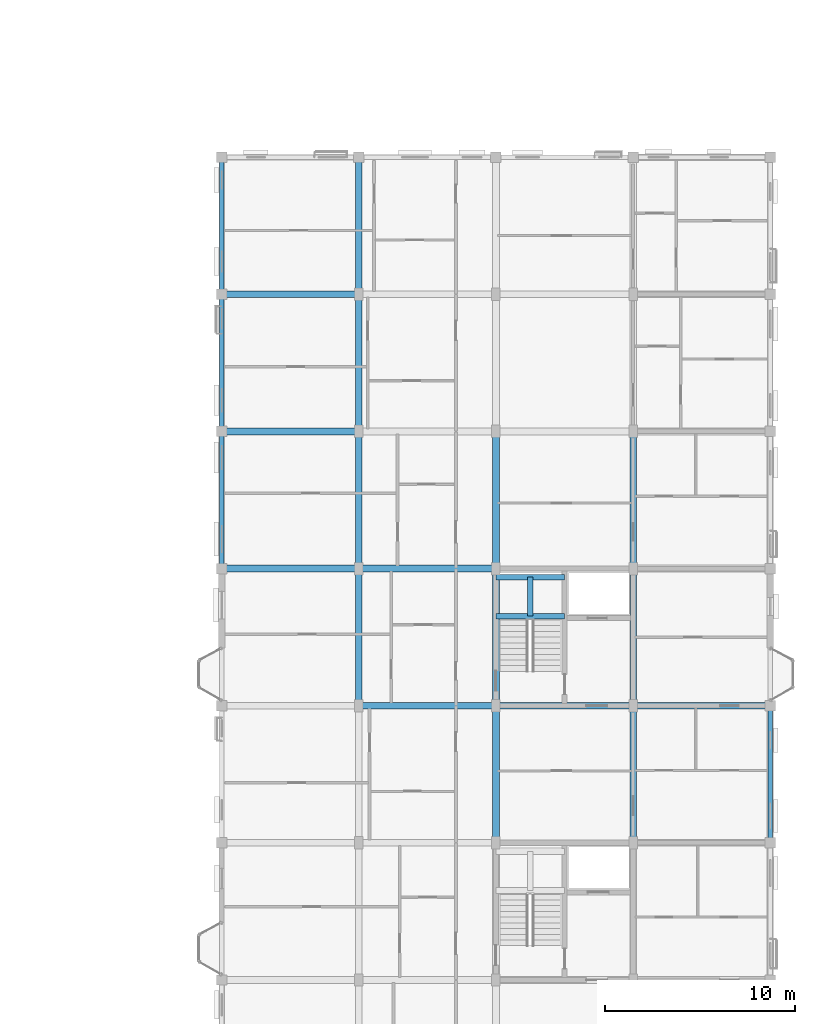
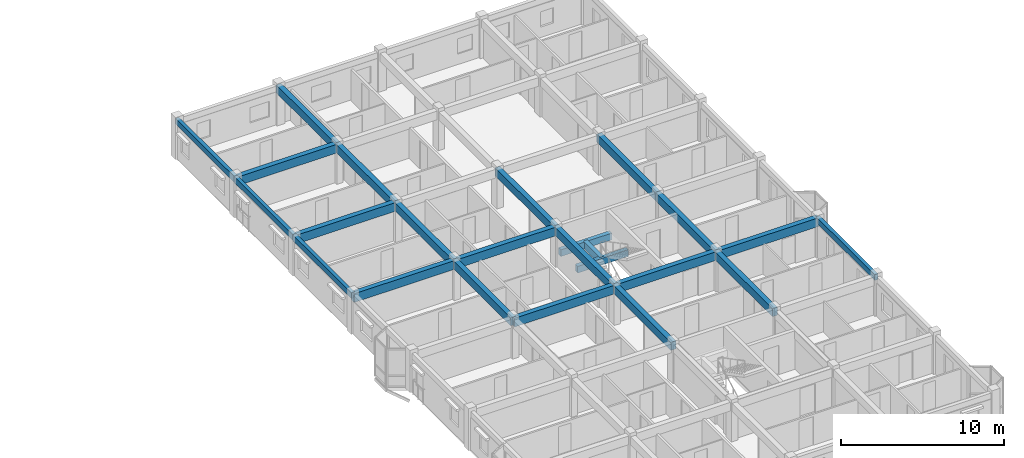
# One storey, part 29 of 79: 24 beams.
"""IFC4 building model written with IfcOpenShell, lengths in metres."""

from ifc_helpers import new_model, si_unit, direction, frame, origin, origin_2d, place, context, subcontext, project, spatial, rectangle, extrude, material, material_profile, profile_set, type_object, element, save


model = new_model("IFC4")

# Units and contexts
model_context = context("Model", 3, precision=1e-05, world=origin(), true_north=direction((0.0, 1.0)))
body_context = subcontext(model_context, "Body", "Model", "MODEL_VIEW")
ifc_project = project(units=[si_unit("LENGTHUNIT", "METRE"), si_unit("AREAUNIT", "SQUARE_METRE"), si_unit("VOLUMEUNIT", "CUBIC_METRE"), si_unit("PLANEANGLEUNIT", "RADIAN"), si_unit("MASSUNIT", "GRAM", prefix="KILO"), si_unit("THERMODYNAMICTEMPERATUREUNIT", "KELVIN"), si_unit("POWERUNIT", "WATT")], contexts=[model_context])

# Site, building, storey
site_placement = place(None, origin())
site = spatial("IfcSite", under=ifc_project, at=site_placement, CompositionType="ELEMENT")
building_placement = place(site_placement, origin())
building = spatial("IfcBuilding", under=site, at=building_placement, Name="Tavuni Mirador Residences", CompositionType="ELEMENT")
storey_placement = place(building_placement, frame((0.0, 0.0, 13.949951171875)))
storey = spatial("IfcBuildingStorey", under=building, at=storey_placement, Name="L04", CompositionType="ELEMENT", Elevation=13.949951171875)

# Beams
ifc_material = material(Name="Precast concrete C40/50", Category="concrete")
ifc_material_profile_1 = material_profile(ifc_material, rectangle(XDim=0.300048828125, YDim=0.5, at=origin_2d()), Name="PC 300x500", Category="concrete")
ifc_profile_set_1 = profile_set([ifc_material_profile_1], Name="Precast concrete C40/50")
beam_type_1 = type_object("IfcBeamType", Name="BT-B500", PredefinedType="BEAM", material=ifc_profile_set_1)
for number, where, z_axis, x_axis, name in (
    (1, (104.39990234375, 112.699951171875, 1.14501953125), (1.0, 0.0, 0.0), (0.0, 1.0, 0.0), "HLB1-C8-L04"),
    (2, (104.39990234375, 114.75, 1.14501953125), (1.0, 0.0, 0.0), (0.0, 1.0, 0.0), "HLB2-C8-L04"),
):
    element("IfcBeam", number, at=place(storey_placement, frame(where, z_axis=z_axis, x_axis=x_axis)), inside=storey, type_object=beam_type_1, Name=name, PredefinedType="BEAM", context=body_context, shape_type="SweptSolid", body=[
        extrude(rectangle(XDim=0.300048828125, YDim=0.5, at=origin_2d()), origin(), (0.0, 0.0, 1.0), 3.60009765625),
    ])
beam_1_placement = place(storey_placement, frame((106.199951171875, 112.699951171875, 1.14501953125), z_axis=(0.0, 1.0, 0.0), x_axis=(-1.0, 0.0, 0.0)))
element("IfcBeam", 3, at=beam_1_placement, inside=storey, type_object=beam_type_1, Name="HLB3-C8-L04", PredefinedType="BEAM", context=body_context, shape_type="SweptSolid", body=[
    extrude(rectangle(XDim=0.300048828125, YDim=0.5, at=origin_2d()), origin(), (0.0, 0.0, 1.0), 2.050048828125),
])
ifc_material_profile_2 = material_profile(ifc_material, rectangle(XDim=0.35009765625, YDim=0.60009765625, at=origin_2d()), Name="PC 350x600", Category="concrete")
ifc_profile_set_2 = profile_set([ifc_material_profile_2], Name="Precast concrete C40/50")
beam_type_2 = type_object("IfcBeamType", Name="BT-B600", PredefinedType="BEAM", material=ifc_profile_set_2)
for number, where, z_axis, x_axis, name in (
    (4, (97.199951171875, 108.0, 2.590087890625), (0.0, 1.0, 0.0), (-1.0, 0.0, 0.0), "BMY-BLK-D-L04-01-03"),
    (5, (97.199951171875, 115.199951171875, 2.590087890625), (0.0, 1.0, 0.0), (-1.0, 0.0, 0.0), "BMY-BLK-D-L04-01-04"),
):
    element("IfcBeam", number, at=place(storey_placement, frame(where, z_axis=z_axis, x_axis=x_axis)), inside=storey, type_object=beam_type_2, Name=name, PredefinedType="BEAM", context=body_context, shape_type="SweptSolid", body=[
        extrude(rectangle(XDim=0.35009765625, YDim=0.60009765625, at=origin_2d()), origin(), (0.0, 0.0, 1.0), 7.199951171875),
    ])
beam_2_placement = place(storey_placement, frame((97.199951171875, 122.39990234375, 2.590087890625), z_axis=(0.0, 1.0, 0.0), x_axis=(-1.0, 0.0, 0.0)))
element("IfcBeam", 6, at=beam_2_placement, inside=storey, type_object=beam_type_2, Name="BMY-BLK-D-L04-01-05", PredefinedType="BEAM", context=body_context, shape_type="SweptSolid", body=[
    extrude(rectangle(XDim=0.35009765625, YDim=0.60009765625, at=origin_2d()), origin(), (0.0, 0.0, 1.0), 7.2001953125),
])
for number, where, z_axis, x_axis, name in (
    (7, (97.199951171875, 129.60009765625, 2.590087890625), (0.0, 1.0, 0.0), (-1.0, 0.0, 0.0), "BMY-BLK-D-L04-01-06"),
    (8, (104.39990234375, 100.800048828125, 2.590087890625), (0.0, 1.0, 0.0), (-1.0, 0.0, 0.0), "BMY-BLK-D-L04-02-02"),
    (9, (104.39990234375, 108.0, 2.590087890625), (0.0, 1.0, 0.0), (-1.0, 0.0, 0.0), "BMY-BLK-D-L04-02-03"),
    (10, (104.39990234375, 115.199951171875, 2.590087890625), (0.0, 1.0, 0.0), (-1.0, 0.0, 0.0), "BMY-BLK-D-L04-02-04"),
    (11, (111.60009765625, 100.800048828125, 2.590087890625), (0.0, 1.0, 0.0), (-1.0, 0.0, 0.0), "BMY-BLK-D-L04-03-02"),
    (12, (111.60009765625, 108.0, 2.590087890625), (0.0, 1.0, 0.0), (-1.0, 0.0, 0.0), "BMY-BLK-D-L04-03-03"),
    (13, (111.60009765625, 115.199951171875, 2.590087890625), (0.0, 1.0, 0.0), (-1.0, 0.0, 0.0), "BMY-BLK-D-L04-03-04"),
):
    element("IfcBeam", number, at=place(storey_placement, frame(where, z_axis=z_axis, x_axis=x_axis)), inside=storey, type_object=beam_type_2, Name=name, PredefinedType="BEAM", context=body_context, shape_type="SweptSolid", body=[
        extrude(rectangle(XDim=0.35009765625, YDim=0.60009765625, at=origin_2d()), origin(), (0.0, 0.0, 1.0), 7.199951171875),
    ])
ifc_material_profile_3 = material_profile(ifc_material, rectangle(XDim=0.35009765625, YDim=0.64990234375, at=origin_2d()), Name="PC 350x650", Category="concrete")
ifc_profile_set_3 = profile_set([ifc_material_profile_3], Name="Precast concrete C40/50")
beam_type_3 = type_object("IfcBeamType", Name="BT-B650", PredefinedType="BEAM", material=ifc_profile_set_3)
beam_3_placement = place(storey_placement, frame((97.199951171875, 108.0, 2.56494140625), z_axis=(1.0, 0.0, 0.0), x_axis=(0.0, 1.0, 0.0)))
element("IfcBeam", 14, at=beam_3_placement, inside=storey, type_object=beam_type_3, Name="BMX-BLK-D-L04-01-03", PredefinedType="BEAM", context=body_context, shape_type="SweptSolid", body=[
    extrude(rectangle(XDim=0.35009765625, YDim=0.64990234375, at=origin_2d()), origin(), (0.0, 0.0, 1.0), 7.199951171875),
])
beam_4_placement = place(storey_placement, frame((104.39990234375, 108.0, 2.56494140625), z_axis=(1.0, 0.0, 0.0), x_axis=(0.0, 1.0, 0.0)))
element("IfcBeam", 15, at=beam_4_placement, inside=storey, type_object=beam_type_3, Name="BMX-BLK-D-L04-02-03", PredefinedType="BEAM", context=body_context, shape_type="SweptSolid", body=[
    extrude(rectangle(XDim=0.35009765625, YDim=0.64990234375, at=origin_2d()), origin(), (0.0, 0.0, 1.0), 7.2001953125),
])
for number, where, z_axis, x_axis, name in (
    (16, (111.60009765625, 108.0, 2.56494140625), (1.0, 0.0, 0.0), (0.0, 1.0, 0.0), "BMX-BLK-D-L04-03-03"),
    (17, (90.0, 115.199951171875, 2.56494140625), (1.0, 0.0, 0.0), (0.0, 1.0, 0.0), "BMX-BLK-D-L04-00-04"),
    (18, (97.199951171875, 115.199951171875, 2.56494140625), (1.0, 0.0, 0.0), (0.0, 1.0, 0.0), "BMX-BLK-D-L04-01-04"),
    (19, (90.0, 122.39990234375, 2.56494140625), (1.0, 0.0, 0.0), (0.0, 1.0, 0.0), "BMX-BLK-D-L04-00-05"),
    (20, (90.0, 129.60009765625, 2.56494140625), (1.0, 0.0, 0.0), (0.0, 1.0, 0.0), "BMX-BLK-D-L04-00-06"),
):
    element("IfcBeam", number, at=place(storey_placement, frame(where, z_axis=z_axis, x_axis=x_axis)), inside=storey, type_object=beam_type_3, Name=name, PredefinedType="BEAM", context=body_context, shape_type="SweptSolid", body=[
        extrude(rectangle(XDim=0.35009765625, YDim=0.64990234375, at=origin_2d()), origin(), (0.0, 0.0, 1.0), 7.199951171875),
    ])
ifc_material_profile_4 = material_profile(ifc_material, rectangle(XDim=0.25, YDim=0.419921875, at=origin_2d()), Name="PC 250x420", Category="concrete")
ifc_profile_set_4 = profile_set([ifc_material_profile_4], Name="Precast concrete C40/50")
beam_type_4 = type_object("IfcBeamType", Name="BT-SP420", PredefinedType="SPANDREL", material=ifc_profile_set_4)
beam_5_placement = place(storey_placement, frame((90.0, 115.199951171875, 2.679931640625), z_axis=(0.0, 1.0, 0.0), x_axis=(-1.0, 0.0, 0.0)))
element("IfcBeam", 21, at=beam_5_placement, inside=storey, type_object=beam_type_4, Name="BMY-BLK-D-L04-00-04", PredefinedType="SPANDREL", context=body_context, shape_type="SweptSolid", body=[
    extrude(rectangle(XDim=0.25, YDim=0.419921875, at=origin_2d()), origin(), (0.0, 0.0, 1.0), 7.199951171875),
])
beam_6_placement = place(storey_placement, frame((90.0, 122.39990234375, 2.679931640625), z_axis=(0.0, 1.0, 0.0), x_axis=(-1.0, 0.0, 0.0)))
element("IfcBeam", 22, at=beam_6_placement, inside=storey, type_object=beam_type_4, Name="BMY-BLK-D-L04-00-05", PredefinedType="SPANDREL", context=body_context, shape_type="SweptSolid", body=[
    extrude(rectangle(XDim=0.25, YDim=0.419921875, at=origin_2d()), origin(), (0.0, 0.0, 1.0), 7.2001953125),
])
for number, where, z_axis, x_axis, name in (
    (23, (90.0, 129.60009765625, 2.679931640625), (0.0, 1.0, 0.0), (-1.0, 0.0, 0.0), "BMY-BLK-D-L04-00-06"),
    (24, (118.800048828125, 100.800048828125, 2.679931640625), (0.0, 1.0, 0.0), (-1.0, 0.0, 0.0), "BMY-BLK-D-L04-04-02"),
):
    element("IfcBeam", number, at=place(storey_placement, frame(where, z_axis=z_axis, x_axis=x_axis)), inside=storey, type_object=beam_type_4, Name=name, PredefinedType="SPANDREL", context=body_context, shape_type="SweptSolid", body=[
        extrude(rectangle(XDim=0.25, YDim=0.419921875, at=origin_2d()), origin(), (0.0, 0.0, 1.0), 7.199951171875),
    ])

save(model, "model.ifc")
